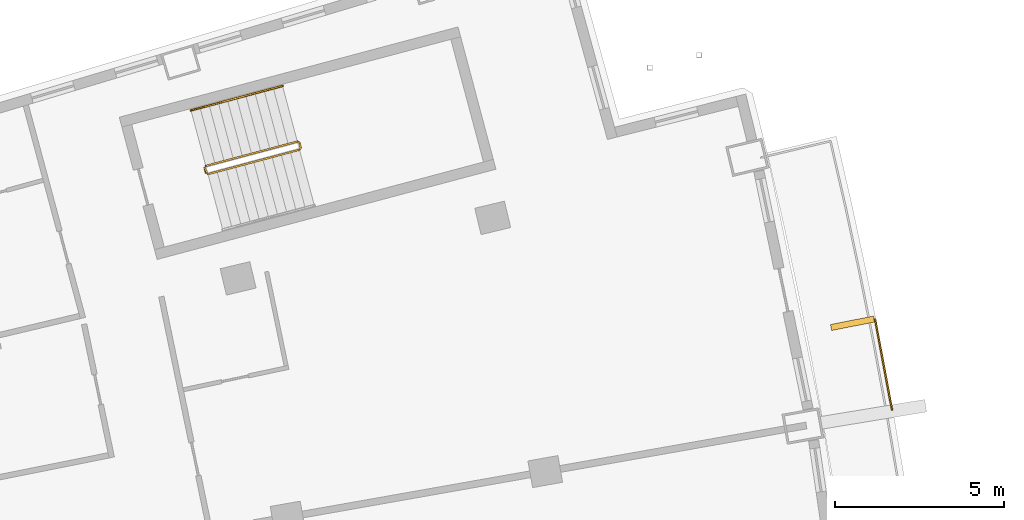
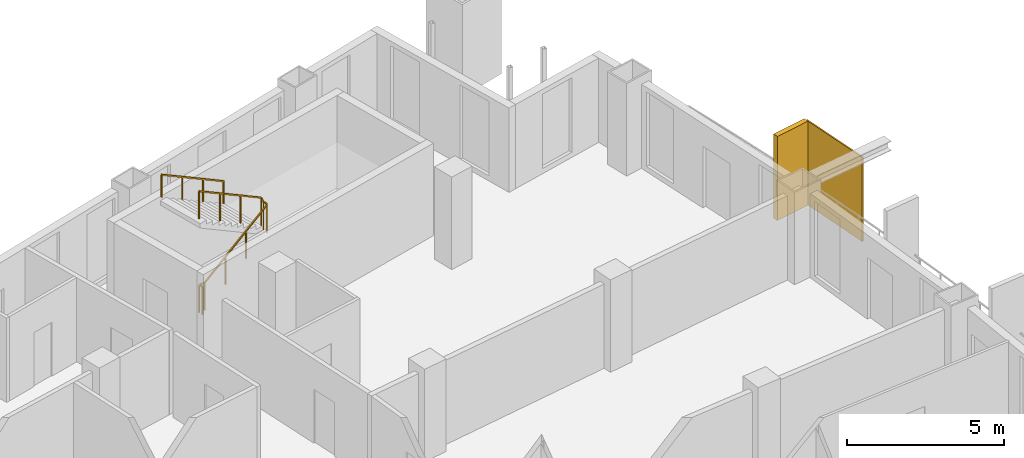
# One storey, part 20 of 20: 2 railings, 2 shading devices.
"""IFC4 building model written with IfcOpenShell, lengths in metres."""

from ifc_helpers import new_model, si_unit, direction, frame, origin, origin_2d, place, context, subcontext, project, spatial, rectangle, extrude, material, layer, layer_set, type_object, element, save


model = new_model("IFC4")

# Units and contexts
model_context = context("Model", 3, precision=1e-05, world=origin(), true_north=direction((0.0, 1.0)))
body_context = subcontext(model_context, "Body", "Model", "MODEL_VIEW")
ifc_project = project(units=[si_unit("LENGTHUNIT", "METRE"), si_unit("AREAUNIT", "SQUARE_METRE"), si_unit("VOLUMEUNIT", "CUBIC_METRE"), si_unit("PLANEANGLEUNIT", "RADIAN"), si_unit("MASSUNIT", "GRAM", prefix="KILO")], contexts=[model_context])

# Site, building, storey
site_placement = place(None, origin())
site = spatial("IfcSite", under=ifc_project, at=site_placement, CompositionType="ELEMENT")
building_placement = place(site_placement, origin())
building = spatial("IfcBuilding", under=site, at=building_placement, Name="Alderwake Tower", CompositionType="ELEMENT")
storey_placement = place(building_placement, frame((0.0, 0.0, 178.39990234375)))
storey = spatial("IfcBuildingStorey", under=building, at=storey_placement, Name="L44", CompositionType="ELEMENT", Elevation=178.39990234375)

# Shading devices
ifc_material_1 = material(Name="Bronze anodised aluminium", Category="aluminium")
ifc_layer_1 = layer(ifc_material_1, 0.179931640625)
ifc_layer_set_1 = layer_set([ifc_layer_1], Name="Facade fin 1300")
shading_device_type_1 = type_object("IfcShadingDeviceType", Name="Facade fin 1300", PredefinedType="USERDEFINED", material=ifc_layer_set_1)
shading_device_1_placement = place(storey_placement, frame((58.343994140625, 88.238037109375, 0.0), z_axis=(0.0, 0.0, 1.0), x_axis=(0.981163751315, 0.193177879441, 0.0)))
element("IfcShadingDevice", 1, at=shading_device_1_placement, inside=storey, type_object=shading_device_type_1, Name="Fin", ObjectType="FIN", PredefinedType="USERDEFINED", context=body_context, shape_type="SweptSolid", body=[
    extrude(rectangle(XDim=1.300048828125, YDim=0.179931640625, at=origin_2d()), origin(), (0.0, 0.0, 1.0), 3.280029296875),
])
ifc_material_2 = material(Name="Perforated bronze anodised aluminium", Category="aluminium")
ifc_layer_2 = layer(ifc_material_2, 0.050048828125)
ifc_layer_set_2 = layer_set([ifc_layer_2], Name="Perforated screen panel")
shading_device_type_2 = type_object("IfcShadingDeviceType", Name="Perforated screen panel", PredefinedType="USERDEFINED", material=ifc_layer_set_2)
shading_device_2_placement = place(storey_placement, frame((59.2587890625, 87.017578125, 0.0), z_axis=(0.0, 0.0, 1.0), x_axis=(0.982991488043, 0.183651121519, 0.0)))
element("IfcShadingDevice", 2, at=shading_device_2_placement, inside=storey, type_object=shading_device_type_2, Name="Screen panel", ObjectType="SCREEN", PredefinedType="USERDEFINED", context=body_context, shape_type="SweptSolid", body=[
    extrude(rectangle(XDim=0.050048828125, YDim=2.74853515625, at=origin_2d()), origin(), (0.0, 0.0, 1.0), 3.280029296875),
])

# Railings
ifc_material_3 = material(Name="Stainless steel guard", Category="steel")
railing_type_1 = type_object("IfcRailingType", Name="Stair guard 1100", PredefinedType="GUARDRAIL", material=ifc_material_3)
railing_1_placement = place(storey_placement, frame((39.23291015625, 92.6806640625, 0.0)))
element("IfcRailing", 3, at=railing_1_placement, inside=storey, type_object=railing_type_1, Name="L44 ST-A stair guard 1", PredefinedType="GUARDRAIL", context=body_context, shape_type="SweptSolid", body=[
    extrude(rectangle(XDim=0.048095703125, YDim=0.048095703125, at=origin_2d()), frame((0.0, 0.0, 1.076171875), z_axis=(-0.257055032184, 0.966396766566, 0.0), x_axis=(-0.966396766566, -0.257055032184, 0.0)), (0.0, 0.0, 1.0), 0.150146484375),
    extrude(rectangle(XDim=0.048095703125, YDim=0.048095703125, at=origin_2d()), frame((-0.03857421875, 0.14501953125, 1.076171875), z_axis=(0.379152066478, -0.68506938173, 0.622031874345), x_axis=(0.874937996095, 0.484234966715, 0.0)), (0.0, 0.0, 1.0), 0.263427734375),
    extrude(rectangle(XDim=0.048095703125, YDim=0.048095703125, at=origin_2d()), frame((0.061279296875, -0.035400390625, 1.23974609375), z_axis=(0.834290631165, 0.222236594766, 0.504549342183), x_axis=(-0.257402139082, 0.966304371715, 0.0)), (0.0, 0.0, 1.0), 3.242919921875),
    extrude(rectangle(XDim=0.048095703125, YDim=0.048095703125, at=origin_2d()), frame((2.766845703125, 0.685302734375, 2.8759765625), z_axis=(0.500220121494, 0.865898279276, 0.0), x_axis=(-0.865898279276, 0.500220121494, 0.0)), (0.0, 0.0, 1.0), 0.07080078125),
    extrude(rectangle(XDim=0.048095703125, YDim=0.048095703125, at=origin_2d()), frame((2.80224609375, 0.74658203125, 2.8759765625), z_axis=(-0.257459803502, 0.966289009345, 0.0), x_axis=(-0.966289009345, -0.257459803502, 0.0)), (0.0, 0.0, 1.0), 0.14990234375),
    extrude(rectangle(XDim=0.048095703125, YDim=0.048095703125, at=origin_2d()), frame((2.763671875, 0.891357421875, 2.8759765625), z_axis=(-0.34252489212, 0.200034536998, 0.917966710881), x_axis=(-0.504300490226, -0.863528236688, 0.0)), (0.0, 0.0, 1.0), 0.17822265625),
    extrude(rectangle(XDim=0.048095703125, YDim=0.048095703125, at=origin_2d()), frame((2.70263671875, 0.927001953125, 3.03955078125), z_axis=(-0.834281824786, -0.222214197128, 0.504573768072), x_axis=(0.257380452725, -0.966310148221, 0.0)), (0.0, 0.0, 1.0), 3.2431640625),
    extrude(rectangle(XDim=0.0419921875, YDim=0.0419921875, at=origin_2d()), frame((0.0, 0.0, 0.0), z_axis=(0.0, 0.0, 1.0), x_axis=(-0.257055032184, 0.966396766566, 0.0)), (0.0, 0.0, 1.0), 1.052001953125),
    extrude(rectangle(XDim=0.0419921875, YDim=0.0419921875, at=origin_2d()), frame((-0.03857421875, 0.14501953125, 0.0), z_axis=(0.0, 0.0, 1.0), x_axis=(0.484234966715, -0.874937996095, 0.0)), (0.0, 0.0, 1.0), 1.052001953125),
    extrude(rectangle(XDim=0.0419921875, YDim=0.0419921875, at=origin_2d()), frame((0.061279296875, -0.035400390625, 0.163818359375), z_axis=(0.0, 0.0, 1.0), x_axis=(0.966304371715, 0.257402139082, 0.0)), (0.0, 0.0, 1.0), 1.052001953125),
    extrude(rectangle(XDim=0.0419921875, YDim=0.0419921875, at=origin_2d()), frame((0.963134765625, 0.204833984375, 0.709228515625), z_axis=(0.0, 0.0, 1.0), x_axis=(0.966304371715, 0.257402139082, 0.0)), (0.0, 0.0, 1.0), 1.052001953125),
    extrude(rectangle(XDim=0.0419921875, YDim=0.0419921875, at=origin_2d()), frame((1.864990234375, 0.445068359375, 1.254638671875), z_axis=(0.0, 0.0, 1.0), x_axis=(0.966304371715, 0.257402139082, 0.0)), (0.0, 0.0, 1.0), 1.052001953125),
    extrude(rectangle(XDim=0.0419921875, YDim=0.0419921875, at=origin_2d()), frame((2.766845703125, 0.685302734375, 1.800048828125), z_axis=(0.0, 0.0, 1.0), x_axis=(0.500220121494, 0.865898279276, 0.0)), (0.0, 0.0, 1.0), 1.052001953125),
    extrude(rectangle(XDim=0.0419921875, YDim=0.0419921875, at=origin_2d()), frame((2.80224609375, 0.74658203125, 1.800048828125), z_axis=(0.0, 0.0, 1.0), x_axis=(-0.257459803502, 0.966289009345, 0.0)), (0.0, 0.0, 1.0), 1.052001953125),
    extrude(rectangle(XDim=0.0419921875, YDim=0.0419921875, at=origin_2d()), frame((2.763671875, 0.891357421875, 1.800048828125), z_axis=(0.0, 0.0, 1.0), x_axis=(-0.863528236688, 0.504300490226, 0.0)), (0.0, 0.0, 1.0), 1.052001953125),
    extrude(rectangle(XDim=0.0419921875, YDim=0.0419921875, at=origin_2d()), frame((2.70263671875, 0.927001953125, 1.963623046875), z_axis=(0.0, 0.0, 1.0), x_axis=(-0.966310148221, -0.257380452725, 0.0)), (0.0, 0.0, 1.0), 1.052001953125),
    extrude(rectangle(XDim=0.0419921875, YDim=0.0419921875, at=origin_2d()), frame((1.80078125, 0.686767578125, 2.509033203125), z_axis=(0.0, 0.0, 1.0), x_axis=(-0.966310148221, -0.257380452725, 0.0)), (0.0, 0.0, 1.0), 1.052001953125),
    extrude(rectangle(XDim=0.0419921875, YDim=0.0419921875, at=origin_2d()), frame((0.898681640625, 0.446533203125, 3.0546875), z_axis=(0.0, 0.0, 1.0), x_axis=(-0.966310148221, -0.257380452725, 0.0)), (0.0, 0.0, 1.0), 1.052001953125),
    extrude(rectangle(XDim=0.0419921875, YDim=0.0419921875, at=origin_2d()), frame((-0.003173828125, 0.206298828125, 3.60009765625), z_axis=(0.0, 0.0, 1.0), x_axis=(-0.966310148221, -0.257380452725, 0.0)), (0.0, 0.0, 1.0), 1.052001953125),
])
ifc_material_4 = material(Name="Stainless steel handrail", Category="steel")
railing_type_2 = type_object("IfcRailingType", Name="Stair handrail 900", PredefinedType="HANDRAIL", material=ifc_material_4)
railing_2_placement = place(storey_placement, frame((41.497802734375, 95.250244140625, 1.963623046875)))
element("IfcRailing", 4, at=railing_2_placement, inside=storey, type_object=railing_type_2, Name="L44 ST-A stair handrail 2", PredefinedType="HANDRAIL", context=body_context, shape_type="SweptSolid", body=[
    extrude(rectangle(XDim=0.048095703125, YDim=0.048095703125, at=origin_2d()), frame((0.0, 0.0, 0.8759765625), z_axis=(-0.834258940753, -0.22222815314, 0.504605457487), x_axis=(0.257402139082, -0.966304371715, 0.0)), (0.0, 0.0, 1.0), 3.2431640625),
    extrude(rectangle(XDim=0.0419921875, YDim=0.0419921875, at=origin_2d()), frame((0.0, 0.0, 0.0), z_axis=(0.0, 0.0, 1.0), x_axis=(-0.966304371715, -0.257402139082, 0.0)), (0.0, 0.0, 1.0), 0.851806640625),
    extrude(rectangle(XDim=0.0419921875, YDim=0.0419921875, at=origin_2d()), frame((-0.90185546875, -0.240234375, 0.54541015625), z_axis=(0.0, 0.0, 1.0), x_axis=(-0.966304371715, -0.257402139082, 0.0)), (0.0, 0.0, 1.0), 0.851806640625),
    extrude(rectangle(XDim=0.0419921875, YDim=0.0419921875, at=origin_2d()), frame((-1.8037109375, -0.48046875, 1.091064453125), z_axis=(0.0, 0.0, 1.0), x_axis=(-0.966304371715, -0.257402139082, 0.0)), (0.0, 0.0, 1.0), 0.851806640625),
    extrude(rectangle(XDim=0.0419921875, YDim=0.0419921875, at=origin_2d()), frame((-2.70556640625, -0.720703125, 1.636474609375), z_axis=(0.0, 0.0, 1.0), x_axis=(-0.966304371715, -0.257402139082, 0.0)), (0.0, 0.0, 1.0), 0.851806640625),
])

save(model, "model.ifc")
